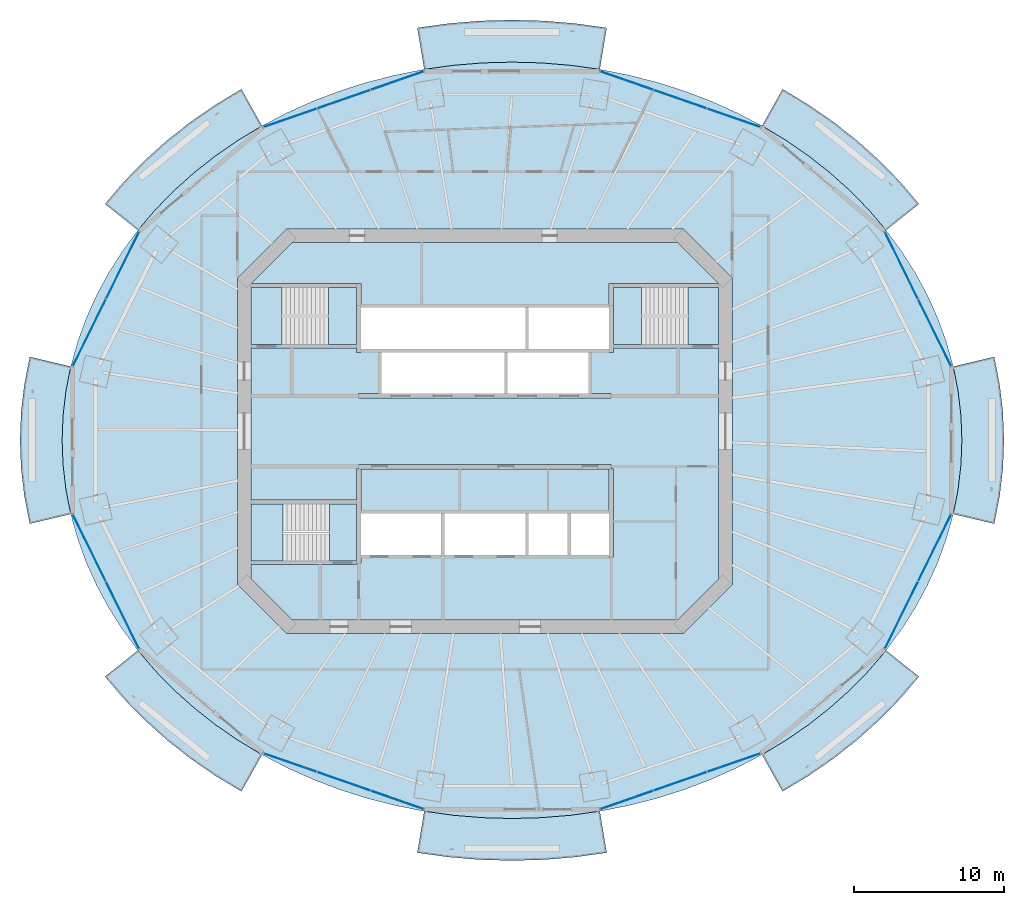
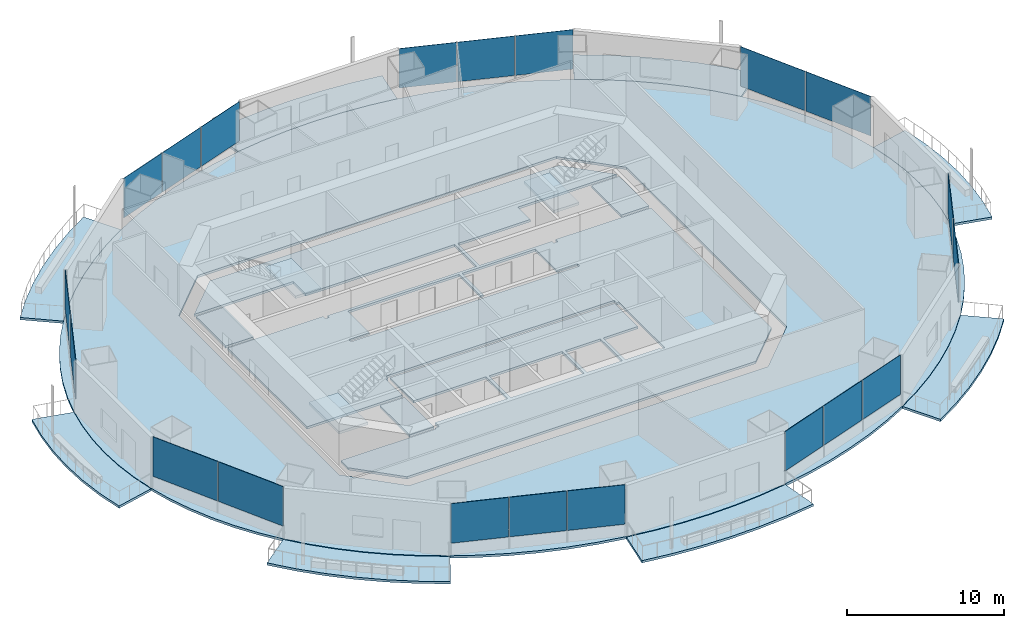
# One storey, part 9 of 19: 20 plates, 16 slabs, 11 elements without a shape of their own.
"""IFC4 building model written with IfcOpenShell, lengths in metres."""

from ifc_helpers import new_model, si_unit, direction, frame, origin, origin_2d, place, context, subcontext, project, spatial, polyline, rectangle, outline, extrude, material, layer, layer_set, type_object, element, aggregate, save


model = new_model("IFC4")

# Units and contexts
model_context = context("Model", 3, precision=1e-05, world=origin(), true_north=direction((0.0, 1.0)))
body_context = subcontext(model_context, "Body", "Model", "MODEL_VIEW")
ifc_project = project(units=[si_unit("LENGTHUNIT", "METRE"), si_unit("AREAUNIT", "SQUARE_METRE"), si_unit("VOLUMEUNIT", "CUBIC_METRE"), si_unit("PLANEANGLEUNIT", "RADIAN"), si_unit("MASSUNIT", "GRAM", prefix="KILO")], contexts=[model_context])

# Site, building, storey
site_placement = place(None, origin())
site = spatial("IfcSite", under=ifc_project, at=site_placement, CompositionType="ELEMENT")
building_placement = place(site_placement, origin())
building = spatial("IfcBuilding", under=site, at=building_placement, Name="Marenthal Gate Tower", CompositionType="ELEMENT")
storey_placement = place(building_placement, frame((0.0, 0.0, 252.35009765625)))
storey = spatial("IfcBuildingStorey", under=building, at=storey_placement, Name="L56", CompositionType="ELEMENT", Elevation=252.35009765625)

# Slabs
ifc_material_1 = material(Name="Concrete 40 MPa", Category="concrete")
ifc_layer_1 = layer(ifc_material_1, 0.179931640625)
ifc_layer_set_1 = layer_set([ifc_layer_1], Name="Balcony deck 180")
slab_type_1 = type_object("IfcSlabType", Name="Balcony deck 180", PredefinedType="USERDEFINED", material=ifc_layer_set_1)
slab_1_placement = place(storey_placement, frame((0.0, 0.0, -0.22021484375)))
element("IfcSlab", 1, at=slab_1_placement, inside=storey, type_object=slab_type_1, Name="Balcony deck L56 bay 2", ObjectType="BALCONY", PredefinedType="USERDEFINED", context=body_context, shape_type="SweptSolid", body=[
    extrude(outline(polyline([(26.68017578125, 13.374755859375), (25.53955078125, 14.712890625), (24.29736328125, 15.985107421875), (22.958740234375, 17.1865234375), (21.529541015625, 18.311767578125), (20.01611328125, 19.35595703125), (18.42431640625, 20.314697265625), (19.79541015625, 22.756103515625), (21.53369140625, 21.708984375), (23.191162109375, 20.565673828125), (24.760498046875, 19.329833984375), (26.23486328125, 18.006591796875), (27.607421875, 16.6005859375), (28.8720703125, 15.116943359375), (26.68017578125, 13.374755859375)])), origin(), (0.0, 0.0, 1.0), 0.18017578125),
])
slab_2_placement = place(storey_placement, frame((0.0, 0.0, -0.22021484375)))
element("IfcSlab", 2, at=slab_2_placement, inside=storey, type_object=slab_type_1, Name="Balcony deck L56 bay 4", ObjectType="BALCONY", PredefinedType="USERDEFINED", context=body_context, shape_type="SweptSolid", body=[
    extrude(outline(polyline([(7.6376953125, 24.07080078125), (5.705810546875, 24.3388671875), (3.757080078125, 24.5), (1.800048828125, 24.553955078125), (-0.156982421875, 24.5), (-2.105712890625, 24.3388671875), (-4.03759765625, 24.07080078125), (-4.49951171875, 26.832275390625), (-2.41357421875, 27.121826171875), (-0.31103515625, 27.2958984375), (1.800048828125, 27.35400390625), (3.9111328125, 27.2958984375), (6.013671875, 27.121826171875), (8.099365234375, 26.832275390625), (7.6376953125, 24.07080078125)])), origin(), (0.0, 0.0, 1.0), 0.18017578125),
])
slab_3_placement = place(storey_placement, frame((0.0, 0.0, -0.22021484375)))
element("IfcSlab", 3, at=slab_3_placement, inside=storey, type_object=slab_type_1, Name="Balcony deck L56 bay 6", ObjectType="BALCONY", PredefinedType="USERDEFINED", context=body_context, shape_type="SweptSolid", body=[
    extrude(outline(polyline([(-14.82421875, 20.314697265625), (-16.416015625, 19.35595703125), (-17.9296875, 18.311767578125), (-19.35888671875, 17.1865234375), (-20.697265625, 15.985107421875), (-21.939453125, 14.712890625), (-23.080078125, 13.374755859375), (-25.27197265625, 15.116943359375), (-24.007568359375, 16.6005859375), (-22.634765625, 18.006591796875), (-21.160400390625, 19.329833984375), (-19.591064453125, 20.565673828125), (-17.933837890625, 21.708984375), (-16.195556640625, 22.756103515625), (-14.82421875, 20.314697265625)])), origin(), (0.0, 0.0, 1.0), 0.18017578125),
])
slab_4_placement = place(storey_placement, frame((0.0, 0.0, -0.22021484375)))
element("IfcSlab", 4, at=slab_4_placement, inside=storey, type_object=slab_type_1, Name="Balcony deck L56 bay 8", ObjectType="BALCONY", PredefinedType="USERDEFINED", context=body_context, shape_type="SweptSolid", body=[
    extrude(outline(polyline([(-27.548095703125, 4.307373046875), (-27.866943359375, 2.683349609375), (-28.058837890625, 1.045166015625), (-28.123046875, -0.60009765625), (-28.058837890625, -2.2451171875), (-27.866943359375, -3.88330078125), (-27.548095703125, -5.50732421875), (-30.272705078125, -6.152099609375), (-30.63330078125, -4.316650390625), (-30.850341796875, -2.462890625), (-30.923095703125, -0.60009765625), (-30.850341796875, 1.262939453125), (-30.63330078125, 3.116455078125), (-30.272705078125, 4.9521484375), (-27.548095703125, 4.307373046875)])), origin(), (0.0, 0.0, 1.0), 0.18017578125),
])
slab_5_placement = place(storey_placement, frame((0.0, 0.0, -0.22021484375)))
element("IfcSlab", 5, at=slab_5_placement, inside=storey, type_object=slab_type_1, Name="Balcony deck L56 bay 10", ObjectType="BALCONY", PredefinedType="USERDEFINED", context=body_context, shape_type="SweptSolid", body=[
    extrude(outline(polyline([(-23.080078125, -14.57470703125), (-21.939453125, -15.912841796875), (-20.697265625, -17.185302734375), (-19.35888671875, -18.38671875), (-17.9296875, -19.51171875), (-16.416015625, -20.555908203125), (-14.82421875, -21.514892578125), (-16.195556640625, -23.9560546875), (-17.933837890625, -22.908935546875), (-19.591064453125, -21.765625), (-21.160400390625, -20.530029296875), (-22.634765625, -19.20654296875), (-24.007568359375, -17.800537109375), (-25.27197265625, -16.317138671875), (-23.080078125, -14.57470703125)])), origin(), (0.0, 0.0, 1.0), 0.18017578125),
])
slab_6_placement = place(storey_placement, frame((0.0, 0.0, -0.22021484375)))
element("IfcSlab", 6, at=slab_6_placement, inside=storey, type_object=slab_type_1, Name="Balcony deck L56 bay 12", ObjectType="BALCONY", PredefinedType="USERDEFINED", context=body_context, shape_type="SweptSolid", body=[
    extrude(outline(polyline([(-4.03759765625, -25.270751953125), (-2.105712890625, -25.538818359375), (-0.156982421875, -25.7001953125), (1.800048828125, -25.75390625), (3.757080078125, -25.7001953125), (5.705810546875, -25.538818359375), (7.6376953125, -25.270751953125), (8.099365234375, -28.032470703125), (6.013671875, -28.32177734375), (3.9111328125, -28.495849609375), (1.800048828125, -28.553955078125), (-0.31103515625, -28.495849609375), (-2.41357421875, -28.32177734375), (-4.49951171875, -28.032470703125), (-4.03759765625, -25.270751953125)])), origin(), (0.0, 0.0, 1.0), 0.18017578125),
])
slab_7_placement = place(storey_placement, frame((0.0, 0.0, -0.22021484375)))
element("IfcSlab", 7, at=slab_7_placement, inside=storey, type_object=slab_type_1, Name="Balcony deck L56 bay 14", ObjectType="BALCONY", PredefinedType="USERDEFINED", context=body_context, shape_type="SweptSolid", body=[
    extrude(outline(polyline([(18.42431640625, -21.514892578125), (20.01611328125, -20.555908203125), (21.529541015625, -19.51171875), (22.958740234375, -18.38671875), (24.29736328125, -17.185302734375), (25.53955078125, -15.912841796875), (26.68017578125, -14.57470703125), (28.8720703125, -16.317138671875), (27.607421875, -17.800537109375), (26.23486328125, -19.20654296875), (24.760498046875, -20.530029296875), (23.191162109375, -21.765625), (21.53369140625, -22.908935546875), (19.79541015625, -23.9560546875), (18.42431640625, -21.514892578125)])), origin(), (0.0, 0.0, 1.0), 0.18017578125),
])
slab_8_placement = place(storey_placement, frame((0.0, 0.0, -0.22021484375)))
element("IfcSlab", 8, at=slab_8_placement, inside=storey, type_object=slab_type_1, Name="Balcony deck L56 bay 16", ObjectType="BALCONY", PredefinedType="USERDEFINED", context=body_context, shape_type="SweptSolid", body=[
    extrude(outline(polyline([(31.14794921875, -5.50732421875), (31.467041015625, -3.88330078125), (31.658935546875, -2.2451171875), (31.722900390625, -0.60009765625), (31.658935546875, 1.045166015625), (31.467041015625, 2.683349609375), (31.14794921875, 4.307373046875), (33.872802734375, 4.9521484375), (34.2333984375, 3.116455078125), (34.450439453125, 1.262939453125), (34.52294921875, -0.60009765625), (34.450439453125, -2.462890625), (34.2333984375, -4.316650390625), (33.872802734375, -6.152099609375), (31.14794921875, -5.50732421875)])), origin(), (0.0, 0.0, 1.0), 0.18017578125),
])
ifc_material_2 = material(Name="Concrete 50 MPa", Category="concrete")
ifc_layer_2 = layer(ifc_material_2, 0.179931640625)
ifc_layer_set_2 = layer_set([ifc_layer_2], Name="Core floor slab 180")
slab_type_2 = type_object("IfcSlabType", Name="Core floor slab 180", PredefinedType="FLOOR", material=ifc_layer_set_2)
slab_9_placement = place(storey_placement, frame((0.0, 0.0, -0.18017578125)))
element("IfcSlab", 9, at=slab_9_placement, inside=storey, type_object=slab_type_2, Name="Core floor L56", PredefinedType="FLOOR", context=body_context, shape_type="SweptSolid", body=[
    extrude(outline(polyline([(12.813720703125, -12.550048828125), (-12.813720703125, -12.550048828125), (-15.550048828125, -9.813720703125), (-15.550048828125, -8.875), (-8.550048828125, -8.875), (-8.550048828125, -8.75), (-8.25, -8.75), (-8.25, -8.239990234375), (-5.60009765625, -8.239990234375), (-2.909912109375, -8.239990234375), (-2.909912109375, -5.4599609375), (-5.60009765625, -5.4599609375), (-8.25, -5.4599609375), (-8.25, -2.5), (8.25, -2.5), (8.25, -5.4599609375), (5.7099609375, -5.4599609375), (5.7099609375, -8.239990234375), (8.25, -8.239990234375), (8.25, -8.35009765625), (8.550048828125, -8.35009765625), (8.550048828125, -2.5), (8.39990234375, -2.5), (8.39990234375, -2.199951171875), (-8.39990234375, -2.199951171875), (-8.39990234375, -2.5), (-8.550048828125, -2.5), (-8.550048828125, -4.574951171875), (-15.550048828125, -4.574951171875), (-15.550048828125, 5.52490234375), (-8.550048828125, 5.52490234375), (-8.550048828125, 5.239990234375), (-8.25, 5.239990234375), (-8.25, 5.4599609375), (-5.60009765625, 5.4599609375), (-2.800048828125, 5.4599609375), (0.0, 5.4599609375), (2.68994140625, 5.4599609375), (2.68994140625, 8.239990234375), (0.0, 8.239990234375), (-2.800048828125, 8.239990234375), (-5.60009765625, 8.239990234375), (-8.25, 8.239990234375), (-8.25, 8.35009765625), (-8.25, 9.824951171875), (-8.550048828125, 9.824951171875), (-15.53857421875, 9.824951171875), (-12.813720703125, 12.550048828125), (12.813720703125, 12.550048828125), (15.53857421875, 9.824951171875), (8.550048828125, 9.824951171875), (8.25, 9.824951171875), (8.25, 8.35009765625), (8.25, 8.239990234375), (5.60009765625, 8.239990234375), (2.909912109375, 8.239990234375), (2.909912109375, 5.4599609375), (5.60009765625, 5.4599609375), (8.25, 5.4599609375), (8.25, 5.239990234375), (8.550048828125, 5.239990234375), (8.550048828125, 5.52490234375), (15.550048828125, 5.52490234375), (15.550048828125, -9.813720703125), (12.813720703125, -12.550048828125)]), holes=[polyline([(2.68994140625, -8.239990234375), (2.68994140625, -5.4599609375), (0.0, -5.4599609375), (-2.68994140625, -5.4599609375), (-2.68994140625, -8.239990234375), (0.0, -8.239990234375), (2.68994140625, -8.239990234375)]), polyline([(-6.889892578125, 5.239990234375), (-6.889892578125, 2.5), (-8.39990234375, 2.5), (-8.39990234375, 2.199951171875), (8.39990234375, 2.199951171875), (8.39990234375, 2.5), (6.889892578125, 2.5), (6.889892578125, 5.239990234375), (4.199951171875, 5.239990234375), (1.510009765625, 5.239990234375), (1.510009765625, 2.5), (1.2900390625, 2.5), (1.2900390625, 5.239990234375), (-1.39990234375, 5.239990234375), (-4.199951171875, 5.239990234375), (-6.889892578125, 5.239990234375)]), polyline([(5.489990234375, -5.4599609375), (2.909912109375, -5.4599609375), (2.909912109375, -8.239990234375), (5.489990234375, -8.239990234375), (5.489990234375, -5.4599609375)])]), origin(), (0.0, 0.0, 1.0), 0.18017578125),
])
slab_10_placement = place(storey_placement, frame((0.0, 0.0, -0.18017578125)))
element("IfcSlab", 10, at=slab_10_placement, inside=storey, type_object=slab_type_2, Name="Core floor L56", PredefinedType="FLOOR", context=body_context, shape_type="SweptSolid", body=[
    extrude(outline(polyline([(15.550048828125, 5.77490234375), (13.5, 5.77490234375), (13.5, 9.574951171875), (15.550048828125, 9.574951171875), (15.550048828125, 5.77490234375)])), origin(), (0.0, 0.0, 1.0), 0.18017578125),
])
slab_11_placement = place(storey_placement, frame((0.0, 0.0, -0.18017578125)))
element("IfcSlab", 11, at=slab_11_placement, inside=storey, type_object=slab_type_2, Name="Core floor L56", PredefinedType="FLOOR", context=body_context, shape_type="SweptSolid", body=[
    extrude(outline(polyline([(-15.550048828125, 9.574951171875), (-13.5, 9.574951171875), (-13.5, 5.77490234375), (-15.550048828125, 5.77490234375), (-15.550048828125, 9.574951171875)])), origin(), (0.0, 0.0, 1.0), 0.18017578125),
])
slab_12_placement = place(storey_placement, frame((0.0, 0.0, -0.18017578125)))
element("IfcSlab", 12, at=slab_12_placement, inside=storey, type_object=slab_type_2, Name="Core floor L56", PredefinedType="FLOOR", context=body_context, shape_type="SweptSolid", body=[
    extrude(outline(polyline([(-8.550048828125, -8.625), (-10.35009765625, -8.625), (-10.35009765625, -4.824951171875), (-8.550048828125, -4.824951171875), (-8.550048828125, -8.625)])), origin(), (0.0, 0.0, 1.0), 0.18017578125),
])
ifc_material_3 = material(Name="Concrete 35 MPa", Category="concrete")
ifc_layer_3 = layer(ifc_material_3, 0.179931640625)
ifc_layer_set_3 = layer_set([ifc_layer_3], Name="Floor slab 180")
slab_type_3 = type_object("IfcSlabType", Name="Floor slab 180", PredefinedType="FLOOR", material=ifc_layer_set_3)
slab_13_placement = place(storey_placement, frame((0.0, 0.0, -0.18017578125)))
element("IfcSlab", 13, at=slab_13_placement, inside=storey, type_object=slab_type_3, Name="SL-L56-01", PredefinedType="FLOOR", context=body_context, shape_type="SweptSolid", body=[
    extrude(outline(polyline([(31.722900390625, -0.60009765625), (31.658935546875, 1.045166015625), (31.467041015625, 2.683349609375), (31.14794921875, 4.307373046875), (30.703369140625, 5.910400390625), (30.135009765625, 7.485595703125), (29.4453125, 9.02587890625), (28.63720703125, 10.525390625), (27.714111328125, 11.97705078125), (26.68017578125, 13.374755859375), (25.53955078125, 14.712890625), (24.29736328125, 15.985107421875), (22.958740234375, 17.1865234375), (21.529541015625, 18.311767578125), (20.01611328125, 19.35595703125), (18.42431640625, 20.314697265625), (16.761474609375, 21.18408203125), (15.03466796875, 21.9599609375), (13.2509765625, 22.639404296875), (11.41845703125, 23.218994140625), (9.544677734375, 23.697021484375), (7.6376953125, 24.07080078125), (5.705810546875, 24.3388671875), (3.757080078125, 24.5), (1.800048828125, 24.553955078125), (-0.156982421875, 24.5), (-2.105712890625, 24.3388671875), (-4.03759765625, 24.07080078125), (-5.944580078125, 23.697021484375), (-7.818359375, 23.218994140625), (-9.65087890625, 22.639404296875), (-11.4345703125, 21.9599609375), (-13.16162109375, 21.18408203125), (-14.82421875, 20.314697265625), (-16.416015625, 19.35595703125), (-17.9296875, 18.311767578125), (-19.35888671875, 17.1865234375), (-20.697265625, 15.985107421875), (-21.939453125, 14.712890625), (-23.080078125, 13.374755859375), (-24.114013671875, 11.97705078125), (-25.037109375, 10.525390625), (-25.84521484375, 9.02587890625), (-26.534912109375, 7.485595703125), (-27.103515625, 5.910400390625), (-27.548095703125, 4.307373046875), (-27.866943359375, 2.683349609375), (-28.058837890625, 1.045166015625), (-28.123046875, -0.60009765625), (-28.058837890625, -2.2451171875), (-27.866943359375, -3.88330078125), (-27.548095703125, -5.50732421875), (-27.103515625, -7.1103515625), (-26.534912109375, -8.685546875), (-25.84521484375, -10.22607421875), (-25.037109375, -11.725341796875), (-24.114013671875, -13.177001953125), (-23.080078125, -14.57470703125), (-21.939453125, -15.912841796875), (-20.697265625, -17.185302734375), (-19.35888671875, -18.38671875), (-17.9296875, -19.51171875), (-16.416015625, -20.555908203125), (-14.82421875, -21.514892578125), (-13.16162109375, -22.384033203125), (-11.4345703125, -23.159912109375), (-9.65087890625, -23.83935546875), (-7.818359375, -24.419189453125), (-5.944580078125, -24.89697265625), (-4.03759765625, -25.270751953125), (-2.105712890625, -25.538818359375), (-0.156982421875, -25.7001953125), (1.800048828125, -25.75390625), (3.757080078125, -25.7001953125), (5.705810546875, -25.538818359375), (7.6376953125, -25.270751953125), (9.544677734375, -24.89697265625), (11.41845703125, -24.419189453125), (13.2509765625, -23.83935546875), (15.03466796875, -23.159912109375), (16.761474609375, -22.384033203125), (18.42431640625, -21.514892578125), (20.01611328125, -20.555908203125), (21.529541015625, -19.51171875), (22.958740234375, -18.38671875), (24.29736328125, -17.185302734375), (25.53955078125, -15.912841796875), (26.68017578125, -14.57470703125), (27.714111328125, -13.177001953125), (28.63720703125, -11.725341796875), (29.4453125, -10.22607421875), (30.135009765625, -8.685546875), (30.703369140625, -7.1103515625), (31.14794921875, -5.50732421875), (31.467041015625, -3.88330078125), (31.658935546875, -2.2451171875), (31.722900390625, -0.60009765625)]), holes=[polyline([(13.186279296875, -13.449951171875), (16.449951171875, -10.186279296875), (16.449951171875, 10.186279296875), (13.186279296875, 13.449951171875), (-13.186279296875, 13.449951171875), (-16.449951171875, 10.186279296875), (-16.449951171875, -10.186279296875), (-13.186279296875, -13.449951171875), (13.186279296875, -13.449951171875)])]), origin(), (0.0, 0.0, 1.0), 0.18017578125),
])

# Curtain wall, plates
ifc_material_4 = material(Name="Aluminium and glass", Category="aluminium")
curtain_wall_type = type_object("IfcCurtainWallType", Name="Curtain wall typical mid", PredefinedType="NOTDEFINED", material=ifc_material_4)
curtain_wall_1_placement = place(storey_placement, origin())
curtain_wall_1 = element("IfcCurtainWall", 14, at=curtain_wall_1_placement, inside=storey, type_object=curtain_wall_type, Name="Curtain wall L56 bay 1", PredefinedType="NOTDEFINED")
ifc_material_5 = material(Name="Glass, laminated insulating unit", Category="glass")
ifc_layer_4 = layer(ifc_material_5, 0.030029296875)
ifc_layer_set_4 = layer_set([ifc_layer_4], Name="Glass panel 30 typical mid")
plate_type = type_object("IfcPlateType", Name="Glass panel 30 typical mid", PredefinedType="CURTAIN_PANEL", material=ifc_layer_set_4)
plate_1_placement = place(storey_placement, frame((29.9111328125, 6.553466796875, 0.89990234375), z_axis=(0.0, 0.0, 1.0), x_axis=(-0.44226926732, 0.896882319585, 0.0)))
plate_1 = element("IfcPlate", 15, at=plate_1_placement, type_object=plate_type, Name="Glass panel L56 bay 1.1", PredefinedType="CURTAIN_PANEL", context=body_context, shape_type="SweptSolid", body=[
    extrude(rectangle(XDim=4.94091796875, YDim=0.030029296875, at=origin_2d()), origin(), (0.0, 0.0, 1.0), 3.070068359375),
])
plate_2_placement = place(storey_placement, frame((27.699462890625, 11.03857421875, 0.89990234375), z_axis=(0.0, 0.0, 1.0), x_axis=(-0.44226926732, 0.896882319585, 0.0)))
plate_2 = element("IfcPlate", 16, at=plate_2_placement, type_object=plate_type, Name="Glass panel L56 bay 1.2", PredefinedType="CURTAIN_PANEL", context=body_context, shape_type="SweptSolid", body=[
    extrude(rectangle(XDim=4.94091796875, YDim=0.030029296875, at=origin_2d()), origin(), (0.0, 0.0, 1.0), 3.070068359375),
])
aggregate(curtain_wall_1, [plate_1, plate_2])

curtain_wall_2_placement = place(storey_placement, origin())
curtain_wall_2 = element("IfcCurtainWall", 17, at=curtain_wall_2_placement, inside=storey, type_object=curtain_wall_type, Name="Curtain wall L56 bay 3", PredefinedType="NOTDEFINED")
plate_3_placement = place(storey_placement, frame((16.54833984375, 20.844482421875, 0.89990234375), z_axis=(0.0, 0.0, 1.0), x_axis=(-0.944465007872, 0.328612003593, 0.0)))
plate_3 = element("IfcPlate", 18, at=plate_3_placement, type_object=plate_type, Name="Glass panel L56 bay 3.1", PredefinedType="CURTAIN_PANEL", context=body_context, shape_type="SweptSolid", body=[
    extrude(rectangle(XDim=3.711669921875, YDim=0.030029296875, at=origin_2d()), origin(), (0.0, 0.0, 1.0), 3.070068359375),
])
plate_4_placement = place(storey_placement, frame((12.986083984375, 22.083984375, 0.89990234375), z_axis=(0.0, 0.0, 1.0), x_axis=(-0.944465007872, 0.328612003593, 0.0)))
plate_4 = element("IfcPlate", 19, at=plate_4_placement, type_object=plate_type, Name="Glass panel L56 bay 3.2", PredefinedType="CURTAIN_PANEL", context=body_context, shape_type="SweptSolid", body=[
    extrude(rectangle(XDim=3.711669921875, YDim=0.030029296875, at=origin_2d()), origin(), (0.0, 0.0, 1.0), 3.070068359375),
])
plate_5_placement = place(storey_placement, frame((9.423828125, 23.323486328125, 0.89990234375), z_axis=(0.0, 0.0, 1.0), x_axis=(-0.944465007872, 0.328612003593, 0.0)))
plate_5 = element("IfcPlate", 20, at=plate_5_placement, type_object=plate_type, Name="Glass panel L56 bay 3.3", PredefinedType="CURTAIN_PANEL", context=body_context, shape_type="SweptSolid", body=[
    extrude(rectangle(XDim=3.711669921875, YDim=0.030029296875, at=origin_2d()), origin(), (0.0, 0.0, 1.0), 3.070068359375),
])
aggregate(curtain_wall_2, [plate_3, plate_4, plate_5])

curtain_wall_3_placement = place(storey_placement, origin())
curtain_wall_3 = element("IfcCurtainWall", 21, at=curtain_wall_3_placement, inside=storey, type_object=curtain_wall_type, Name="Curtain wall L56 bay 5", PredefinedType="NOTDEFINED")
plate_6_placement = place(storey_placement, frame((-5.82373046875, 23.323486328125, 0.89990234375), z_axis=(0.0, 0.0, 1.0), x_axis=(-0.944465007872, -0.328612003593, 0.0)))
plate_6 = element("IfcPlate", 22, at=plate_6_placement, type_object=plate_type, Name="Glass panel L56 bay 5.1", PredefinedType="CURTAIN_PANEL", context=body_context, shape_type="SweptSolid", body=[
    extrude(rectangle(XDim=3.711669921875, YDim=0.030029296875, at=origin_2d()), origin(), (0.0, 0.0, 1.0), 3.070068359375),
])
plate_7_placement = place(storey_placement, frame((-9.385986328125, 22.083984375, 0.89990234375), z_axis=(0.0, 0.0, 1.0), x_axis=(-0.944465007872, -0.328612003593, 0.0)))
plate_7 = element("IfcPlate", 23, at=plate_7_placement, type_object=plate_type, Name="Glass panel L56 bay 5.2", PredefinedType="CURTAIN_PANEL", context=body_context, shape_type="SweptSolid", body=[
    extrude(rectangle(XDim=3.711669921875, YDim=0.030029296875, at=origin_2d()), origin(), (0.0, 0.0, 1.0), 3.070068359375),
])
plate_8_placement = place(storey_placement, frame((-12.9482421875, 20.844482421875, 0.89990234375), z_axis=(0.0, 0.0, 1.0), x_axis=(-0.944465007872, -0.328612003593, 0.0)))
plate_8 = element("IfcPlate", 24, at=plate_8_placement, type_object=plate_type, Name="Glass panel L56 bay 5.3", PredefinedType="CURTAIN_PANEL", context=body_context, shape_type="SweptSolid", body=[
    extrude(rectangle(XDim=3.711669921875, YDim=0.030029296875, at=origin_2d()), origin(), (0.0, 0.0, 1.0), 3.070068359375),
])
aggregate(curtain_wall_3, [plate_6, plate_7, plate_8])

curtain_wall_4_placement = place(storey_placement, origin())
curtain_wall_4 = element("IfcCurtainWall", 25, at=curtain_wall_4_placement, inside=storey, type_object=curtain_wall_type, Name="Curtain wall L56 bay 7", PredefinedType="NOTDEFINED")
plate_9_placement = place(storey_placement, frame((-24.099365234375, 11.03857421875, 0.89990234375), z_axis=(0.0, 0.0, 1.0), x_axis=(-0.44226926732, -0.896882319585, 0.0)))
plate_9 = element("IfcPlate", 26, at=plate_9_placement, type_object=plate_type, Name="Glass panel L56 bay 7.1", PredefinedType="CURTAIN_PANEL", context=body_context, shape_type="SweptSolid", body=[
    extrude(rectangle(XDim=4.94091796875, YDim=0.030029296875, at=origin_2d()), origin(), (0.0, 0.0, 1.0), 3.070068359375),
])
plate_10_placement = place(storey_placement, frame((-26.311279296875, 6.553466796875, 0.89990234375), z_axis=(0.0, 0.0, 1.0), x_axis=(-0.44226926732, -0.896882319585, 0.0)))
plate_10 = element("IfcPlate", 27, at=plate_10_placement, type_object=plate_type, Name="Glass panel L56 bay 7.2", PredefinedType="CURTAIN_PANEL", context=body_context, shape_type="SweptSolid", body=[
    extrude(rectangle(XDim=4.94091796875, YDim=0.030029296875, at=origin_2d()), origin(), (0.0, 0.0, 1.0), 3.070068359375),
])
aggregate(curtain_wall_4, [plate_9, plate_10])

curtain_wall_5_placement = place(storey_placement, origin())
curtain_wall_5 = element("IfcCurtainWall", 28, at=curtain_wall_5_placement, inside=storey, type_object=curtain_wall_type, Name="Curtain wall L56 bay 9", PredefinedType="NOTDEFINED")
plate_11_placement = place(storey_placement, frame((-26.311279296875, -7.75341796875, 0.89990234375), z_axis=(0.0, 0.0, 1.0), x_axis=(0.44226926732, -0.896882319585, 0.0)))
plate_11 = element("IfcPlate", 29, at=plate_11_placement, type_object=plate_type, Name="Glass panel L56 bay 9.1", PredefinedType="CURTAIN_PANEL", context=body_context, shape_type="SweptSolid", body=[
    extrude(rectangle(XDim=4.94091796875, YDim=0.030029296875, at=origin_2d()), origin(), (0.0, 0.0, 1.0), 3.070068359375),
])
plate_12_placement = place(storey_placement, frame((-24.099365234375, -12.238525390625, 0.89990234375), z_axis=(0.0, 0.0, 1.0), x_axis=(0.44226926732, -0.896882319585, 0.0)))
plate_12 = element("IfcPlate", 30, at=plate_12_placement, type_object=plate_type, Name="Glass panel L56 bay 9.2", PredefinedType="CURTAIN_PANEL", context=body_context, shape_type="SweptSolid", body=[
    extrude(rectangle(XDim=4.94091796875, YDim=0.030029296875, at=origin_2d()), origin(), (0.0, 0.0, 1.0), 3.070068359375),
])
aggregate(curtain_wall_5, [plate_11, plate_12])

curtain_wall_6_placement = place(storey_placement, origin())
curtain_wall_6 = element("IfcCurtainWall", 31, at=curtain_wall_6_placement, inside=storey, type_object=curtain_wall_type, Name="Curtain wall L56 bay 11", PredefinedType="NOTDEFINED")
plate_13_placement = place(storey_placement, frame((-12.9482421875, -22.044677734375, 0.89990234375), z_axis=(0.0, 0.0, 1.0), x_axis=(0.944465007872, -0.328612003593, 0.0)))
plate_13 = element("IfcPlate", 32, at=plate_13_placement, type_object=plate_type, Name="Glass panel L56 bay 11.1", PredefinedType="CURTAIN_PANEL", context=body_context, shape_type="SweptSolid", body=[
    extrude(rectangle(XDim=3.711669921875, YDim=0.030029296875, at=origin_2d()), origin(), (0.0, 0.0, 1.0), 3.070068359375),
])
plate_14_placement = place(storey_placement, frame((-9.385986328125, -23.283935546875, 0.89990234375), z_axis=(0.0, 0.0, 1.0), x_axis=(0.944465007872, -0.328612003593, 0.0)))
plate_14 = element("IfcPlate", 33, at=plate_14_placement, type_object=plate_type, Name="Glass panel L56 bay 11.2", PredefinedType="CURTAIN_PANEL", context=body_context, shape_type="SweptSolid", body=[
    extrude(rectangle(XDim=3.711669921875, YDim=0.030029296875, at=origin_2d()), origin(), (0.0, 0.0, 1.0), 3.070068359375),
])
plate_15_placement = place(storey_placement, frame((-5.82373046875, -24.5234375, 0.89990234375), z_axis=(0.0, 0.0, 1.0), x_axis=(0.944465007872, -0.328612003593, 0.0)))
plate_15 = element("IfcPlate", 34, at=plate_15_placement, type_object=plate_type, Name="Glass panel L56 bay 11.3", PredefinedType="CURTAIN_PANEL", context=body_context, shape_type="SweptSolid", body=[
    extrude(rectangle(XDim=3.711669921875, YDim=0.030029296875, at=origin_2d()), origin(), (0.0, 0.0, 1.0), 3.070068359375),
])
aggregate(curtain_wall_6, [plate_13, plate_14, plate_15])

curtain_wall_7_placement = place(storey_placement, origin())
curtain_wall_7 = element("IfcCurtainWall", 35, at=curtain_wall_7_placement, inside=storey, type_object=curtain_wall_type, Name="Curtain wall L56 bay 13", PredefinedType="NOTDEFINED")
plate_16_placement = place(storey_placement, frame((9.423828125, -24.5234375, 0.89990234375), z_axis=(0.0, 0.0, 1.0), x_axis=(0.944465007872, 0.328612003593, 0.0)))
plate_16 = element("IfcPlate", 36, at=plate_16_placement, type_object=plate_type, Name="Glass panel L56 bay 13.1", PredefinedType="CURTAIN_PANEL", context=body_context, shape_type="SweptSolid", body=[
    extrude(rectangle(XDim=3.711669921875, YDim=0.030029296875, at=origin_2d()), origin(), (0.0, 0.0, 1.0), 3.070068359375),
])
plate_17_placement = place(storey_placement, frame((12.986083984375, -23.283935546875, 0.89990234375), z_axis=(0.0, 0.0, 1.0), x_axis=(0.944465007872, 0.328612003593, 0.0)))
plate_17 = element("IfcPlate", 37, at=plate_17_placement, type_object=plate_type, Name="Glass panel L56 bay 13.2", PredefinedType="CURTAIN_PANEL", context=body_context, shape_type="SweptSolid", body=[
    extrude(rectangle(XDim=3.711669921875, YDim=0.030029296875, at=origin_2d()), origin(), (0.0, 0.0, 1.0), 3.070068359375),
])
plate_18_placement = place(storey_placement, frame((16.54833984375, -22.044677734375, 0.89990234375), z_axis=(0.0, 0.0, 1.0), x_axis=(0.944465007872, 0.328612003593, 0.0)))
plate_18 = element("IfcPlate", 38, at=plate_18_placement, type_object=plate_type, Name="Glass panel L56 bay 13.3", PredefinedType="CURTAIN_PANEL", context=body_context, shape_type="SweptSolid", body=[
    extrude(rectangle(XDim=3.711669921875, YDim=0.030029296875, at=origin_2d()), origin(), (0.0, 0.0, 1.0), 3.070068359375),
])
aggregate(curtain_wall_7, [plate_16, plate_17, plate_18])

curtain_wall_8_placement = place(storey_placement, origin())
curtain_wall_8 = element("IfcCurtainWall", 39, at=curtain_wall_8_placement, inside=storey, type_object=curtain_wall_type, Name="Curtain wall L56 bay 15", PredefinedType="NOTDEFINED")
plate_19_placement = place(storey_placement, frame((27.699462890625, -12.238525390625, 0.89990234375), z_axis=(0.0, 0.0, 1.0), x_axis=(0.44226926732, 0.896882319585, 0.0)))
plate_19 = element("IfcPlate", 40, at=plate_19_placement, type_object=plate_type, Name="Glass panel L56 bay 15.1", PredefinedType="CURTAIN_PANEL", context=body_context, shape_type="SweptSolid", body=[
    extrude(rectangle(XDim=4.94091796875, YDim=0.030029296875, at=origin_2d()), origin(), (0.0, 0.0, 1.0), 3.070068359375),
])
plate_20_placement = place(storey_placement, frame((29.9111328125, -7.75341796875, 0.89990234375), z_axis=(0.0, 0.0, 1.0), x_axis=(0.44226926732, 0.896882319585, 0.0)))
plate_20 = element("IfcPlate", 41, at=plate_20_placement, type_object=plate_type, Name="Glass panel L56 bay 15.2", PredefinedType="CURTAIN_PANEL", context=body_context, shape_type="SweptSolid", body=[
    extrude(rectangle(XDim=4.94091796875, YDim=0.030029296875, at=origin_2d()), origin(), (0.0, 0.0, 1.0), 3.070068359375),
])
aggregate(curtain_wall_8, [plate_19, plate_20])

# Stair, slab
ifc_material_6 = material(Name="Concrete 40 MPa", Category="concrete")
stair_type = type_object("IfcStairType", Name="Exit stair 1800", PredefinedType="HALF_TURN_STAIR", material=ifc_material_6)
stair_1_placement = place(storey_placement, origin())
stair_1 = element("IfcStair", 42, at=stair_1_placement, inside=storey, type_object=stair_type, Name="Stair ST1", PredefinedType="HALF_TURN_STAIR")
ifc_material_7 = material(Name="Concrete 40 MPa", Category="concrete")
ifc_layer_5 = layer(ifc_material_7, 0.199951171875)
ifc_layer_set_5 = layer_set([ifc_layer_5], Name="Stair landing 200")
slab_type_4 = type_object("IfcSlabType", Name="Stair landing 200", PredefinedType="LANDING", material=ifc_layer_set_5)
slab_14_placement = place(storey_placement, frame((0.0, 0.0, 1.875)))
slab_14 = element("IfcSlab", 43, at=slab_14_placement, type_object=slab_type_4, Name="ST1 landing 1", PredefinedType="LANDING", context=body_context, shape_type="SweptSolid", body=[
    extrude(outline(polyline([(-10.419921875, 5.77490234375), (-8.550048828125, 5.77490234375), (-8.550048828125, 9.574951171875), (-10.419921875, 9.574951171875), (-10.419921875, 5.77490234375)])), origin(), (0.0, 0.0, 1.0), 0.199951171875),
])
aggregate(stair_1, [slab_14])

stair_2_placement = place(storey_placement, origin())
stair_2 = element("IfcStair", 44, at=stair_2_placement, inside=storey, type_object=stair_type, Name="Stair ST2", PredefinedType="HALF_TURN_STAIR")
slab_15_placement = place(storey_placement, frame((0.0, 0.0, 1.875)))
slab_15 = element("IfcSlab", 45, at=slab_15_placement, type_object=slab_type_4, Name="ST2 landing 1", PredefinedType="LANDING", context=body_context, shape_type="SweptSolid", body=[
    extrude(outline(polyline([(-15.550048828125, -8.625), (-13.429931640625, -8.625), (-13.429931640625, -4.824951171875), (-15.550048828125, -4.824951171875), (-15.550048828125, -8.625)])), origin(), (0.0, 0.0, 1.0), 0.199951171875),
])
aggregate(stair_2, [slab_15])

stair_3_placement = place(storey_placement, origin())
stair_3 = element("IfcStair", 46, at=stair_3_placement, inside=storey, type_object=stair_type, Name="Stair ST3", PredefinedType="HALF_TURN_STAIR")
slab_16_placement = place(storey_placement, frame((0.0, 0.0, 1.875)))
slab_16 = element("IfcSlab", 47, at=slab_16_placement, type_object=slab_type_4, Name="ST3 landing 1", PredefinedType="LANDING", context=body_context, shape_type="SweptSolid", body=[
    extrude(outline(polyline([(8.550048828125, 5.77490234375), (10.419921875, 5.77490234375), (10.419921875, 9.574951171875), (8.550048828125, 9.574951171875), (8.550048828125, 5.77490234375)])), origin(), (0.0, 0.0, 1.0), 0.199951171875),
])
aggregate(stair_3, [slab_16])

save(model, "model.ifc")
